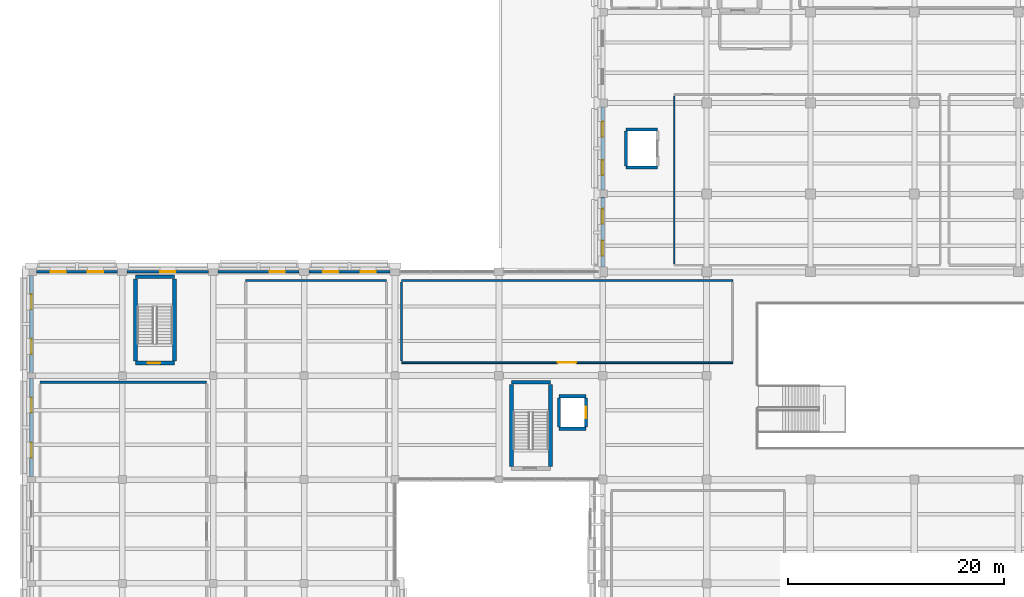
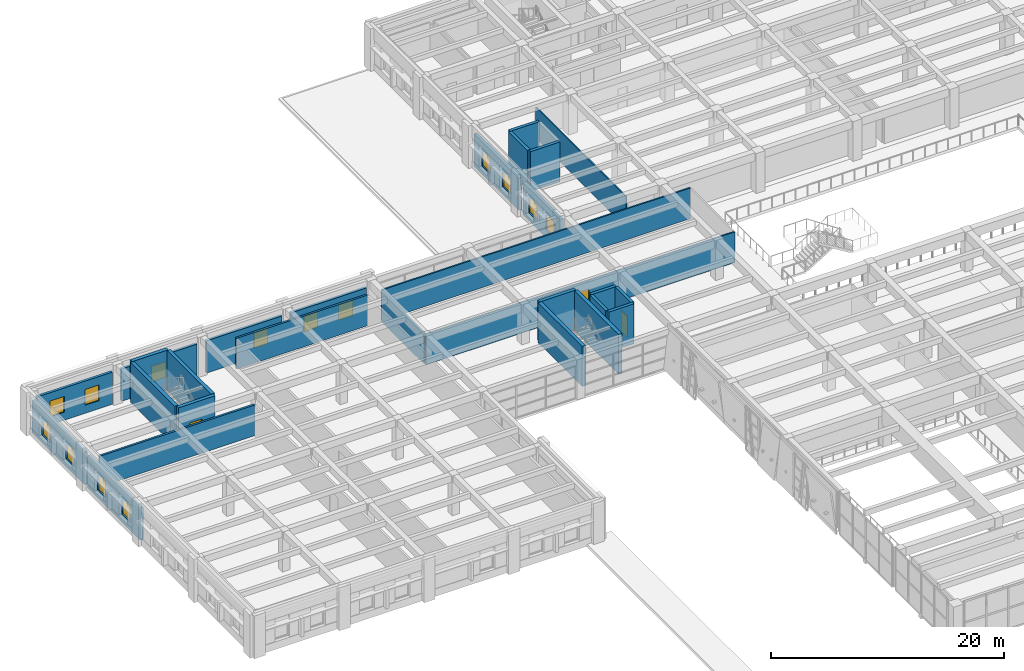
# One storey, part 32 of 49: 28 walls, 14 windows, 3 doors, 17 openings.
"""IFC4 building model written with IfcOpenShell, lengths in metres."""

from ifc_helpers import new_model, si_unit, direction, frame, frame_2d, origin, place, context, subcontext, project, spatial, rectangle, extrude, material, layer, layer_set, type_object, element, fill, save


model = new_model("IFC4")

# Units and contexts
model_context = context("Model", 3, precision=1e-05, world=origin(), true_north=direction((0.0, 1.0)))
body_context = subcontext(model_context, "Body", "Model", "MODEL_VIEW")
ifc_project = project(units=[si_unit("LENGTHUNIT", "METRE"), si_unit("AREAUNIT", "SQUARE_METRE"), si_unit("VOLUMEUNIT", "CUBIC_METRE"), si_unit("PLANEANGLEUNIT", "RADIAN"), si_unit("MASSUNIT", "GRAM", prefix="KILO")], contexts=[model_context])

# Site, building, storey
site_placement = place(None, origin())
site = spatial("IfcSite", under=ifc_project, at=site_placement, CompositionType="ELEMENT")
building_placement = place(site_placement, origin())
building = spatial("IfcBuilding", under=site, at=building_placement, Name="Bempovik Park Faculty of Sciences", CompositionType="ELEMENT")
storey_placement = place(building_placement, frame((0.0, 0.0, 5.39990234375)))
storey = spatial("IfcBuildingStorey", under=building, at=storey_placement, Name="L01", CompositionType="ELEMENT", Elevation=5.39990234375)

# Walls
ifc_material_1 = material(Name="Gypsum acoustic stud assembly")
ifc_layer_1 = layer(ifc_material_1, 0.1201171875)
ifc_layer_set_1 = layer_set([ifc_layer_1], Name="Gypsum acoustic stud assembly")
wall_type_1 = type_object("IfcWallType", Name="W-17 Wall 120mm", PredefinedType="PARTITIONING", material=ifc_layer_set_1)
wall_1_placement = place(storey_placement, frame((66.60009765625, 87.760009765625, 0.0), z_axis=(0.0, 0.0, 1.0), x_axis=(0.0, 1.0, 0.0)))
element("IfcWall", 1, at=wall_1_placement, inside=storey, type_object=wall_type_1, Name="L01 Chemistry Academic Staff Offices Partition West", PredefinedType="PARTITIONING", context=body_context, shape_type="SweptSolid", body=[
    extrude(rectangle(XDim=15.47998046875, YDim=0.1201171875, at=frame_2d((7.739990234375, 0.0))), origin(), (0.0, 0.0, 1.0), 3.22021484375),
])
ifc_material_2 = material(Name="Concrete C40/50", Category="concrete")
ifc_layer_2 = layer(ifc_material_2, 0.300048828125)
ifc_layer_set_2 = layer_set([ifc_layer_2], Name="Concrete C40/50")
wall_type_2 = type_object("IfcWallType", Name="W-31 Wall 300mm", PredefinedType="SHEAR", material=ifc_layer_set_2)
for number, where, z_axis, x_axis, name in (
    (2, (55.949951171875, 72.5, 0.0), (0.0, 0.0, 1.0), (1.0, 0.0, 0.0), "Lift LF-3 L01 Shaft Wall South"),
    (3, (55.949951171875, 75.5, 0.0), (0.0, 0.0, 1.0), (1.0, 0.0, 0.0), "Lift LF-3 L01 Shaft Wall North"),
):
    element("IfcWall", number, at=place(storey_placement, frame(where, z_axis=z_axis, x_axis=x_axis)), inside=storey, type_object=wall_type_2, Name=name, PredefinedType="SHEAR", context=body_context, shape_type="SweptSolid", body=[
        extrude(rectangle(XDim=2.5, YDim=0.300048828125, at=frame_2d((1.25, 0.0))), origin(), (0.0, 0.0, 1.0), 4.18017578125),
    ])
wall_2_placement = place(storey_placement, frame((55.949951171875, 72.64990234375, 0.0), z_axis=(0.0, 0.0, 1.0), x_axis=(0.0, 1.0, 0.0)))
element("IfcWall", 4, at=wall_2_placement, inside=storey, type_object=wall_type_2, Name="Lift LF-3 L01 Shaft Wall West", PredefinedType="SHEAR", context=body_context, shape_type="SweptSolid", body=[
    extrude(rectangle(XDim=2.7001953125, YDim=0.300048828125, at=frame_2d((1.35009765625, 0.0))), origin(), (0.0, 0.0, 1.0), 4.18017578125),
])

# Wall, opening, door
wall_3_placement = place(storey_placement, frame((58.449951171875, 72.64990234375, 0.0), z_axis=(0.0, 0.0, 1.0), x_axis=(0.0, 1.0, 0.0)))
wall_3 = element("IfcWall", 5, at=wall_3_placement, inside=storey, type_object=wall_type_2, Name="Lift LF-3 L01 Shaft Wall East", PredefinedType="SHEAR", context=body_context, shape_type="SweptSolid", body=[
    extrude(rectangle(XDim=2.7001953125, YDim=0.300048828125, at=frame_2d((1.35009765625, 0.0))), origin(), (0.0, 0.0, 1.0), 4.18017578125),
])
opening_1_placement = place(wall_3_placement, frame((0.800048828125, 0.0, 0.0)))
opening_1 = element("IfcOpeningElement", 6, at=opening_1_placement, cuts=wall_3, Name="Opening LD-02", PredefinedType="OPENING", context=body_context, shape_type="SweptSolid", body=[
    extrude(rectangle(XDim=1.10009765625, YDim=2.199951171875, at=frame_2d((0.550048828125, 1.10009765625))), frame((0.0, 0.16015625, 0.0), z_axis=(0.0, -1.0, 0.0), x_axis=(1.0, 0.0, 0.0)), (0.0, 0.0, 1.0), 0.320068359375),
])
ifc_material_3 = material(Name="Anodised aluminium", Category="aluminium")
door_type_1 = type_object("IfcDoorType", Name="LD-02 Door 1100x2200", OperationType="NOTDEFINED", PredefinedType="DOOR", material=ifc_material_3)
door_1_placement = place(opening_1_placement, origin())
door_1 = element("IfcDoor", 7, at=door_1_placement, inside=storey, type_object=door_type_1, Name="Lift LF-3 L01 Sliding Landing Door", OperationType="SLIDING_TO_LEFT", OverallHeight=2.199951171875, OverallWidth=1.10009765625, PredefinedType="DOOR", context=body_context, shape_type="SweptSolid", body=[
    extrude(rectangle(XDim=1.10009765625, YDim=2.199951171875, at=frame_2d((0.550048828125, 1.10009765625))), frame((0.0, 0.02490234375, 0.0), z_axis=(0.0, -1.0, 0.0), x_axis=(1.0, 0.0, 0.0)), (0.0, 0.0, 1.0), 0.050048828125),
])
fill(opening_1, door_1)

# Walls
for number, where, z_axis, x_axis, name in (
    (8, (62.14990234375, 96.64990234375, 0.0), (0.0, 0.0, 1.0), (1.0, 0.0, 0.0), "Lift LF-5 L01 Shaft Wall South"),
    (9, (62.14990234375, 100.14990234375, 0.0), (0.0, 0.0, 1.0), (1.0, 0.0, 0.0), "Lift LF-5 L01 Shaft Wall North"),
):
    element("IfcWall", number, at=place(storey_placement, frame(where, z_axis=z_axis, x_axis=x_axis)), inside=storey, type_object=wall_type_2, Name=name, PredefinedType="SHEAR", context=body_context, shape_type="SweptSolid", body=[
        extrude(rectangle(XDim=2.900146484375, YDim=0.300048828125, at=frame_2d((1.4501953125, 0.0))), origin(), (0.0, 0.0, 1.0), 4.18017578125),
    ])
wall_4_placement = place(storey_placement, frame((62.14990234375, 96.800048828125, 0.0), z_axis=(0.0, 0.0, 1.0), x_axis=(0.0, 1.0, 0.0)))
element("IfcWall", 10, at=wall_4_placement, inside=storey, type_object=wall_type_2, Name="Lift LF-5 L01 Shaft Wall West", PredefinedType="SHEAR", context=body_context, shape_type="SweptSolid", body=[
    extrude(rectangle(XDim=3.199951171875, YDim=0.300048828125, at=frame_2d((1.60009765625, 0.0))), origin(), (0.0, 0.0, 1.0), 4.18017578125),
])

# Wall, opening, door
ifc_layer_3 = layer(ifc_material_1, 0.14990234375)
ifc_layer_set_3 = layer_set([ifc_layer_3], Name="Gypsum acoustic stud assembly")
wall_type_3 = type_object("IfcWallType", Name="W-42 Wall 150mm", PredefinedType="PARTITIONING", material=ifc_layer_set_3)
wall_5_placement = place(storey_placement, frame((41.39990234375, 78.60009765625, 0.0), z_axis=(0.0, 0.0, 1.0), x_axis=(1.0, 0.0, 0.0)))
wall_5 = element("IfcWall", 11, at=wall_5_placement, inside=storey, type_object=wall_type_3, Name="L01 Atrium Concourse Study Gallery West Partition South", PredefinedType="PARTITIONING", context=body_context, shape_type="SweptSolid", body=[
    extrude(rectangle(XDim=30.60009765625, YDim=0.14990234375, at=frame_2d((15.300048828125, 0.0))), origin(), (0.0, 0.0, 1.0), 3.22021484375),
])
opening_2_placement = place(wall_5_placement, frame((14.449951171875, 0.0, 0.0)))
opening_2 = element("IfcOpeningElement", 12, at=opening_2_placement, cuts=wall_5, Name="Opening D-40", PredefinedType="OPENING", context=body_context, shape_type="SweptSolid", body=[
    extrude(rectangle(XDim=1.699951171875, YDim=2.300048828125, at=frame_2d((0.85009765625, 1.14990234375))), frame((0.0, 0.0849609375, 0.0), z_axis=(0.0, -1.0, 0.0), x_axis=(1.0, 0.0, 0.0)), (0.0, 0.0, 1.0), 0.169921875),
])
ifc_material_4 = material(Name="Anodised architectural bronze")
door_type_2 = type_object("IfcDoorType", Name="D-40 Door 1700x2300", OperationType="NOTDEFINED", PredefinedType="DOOR", material=ifc_material_4)
door_2_placement = place(opening_2_placement, origin())
door_2 = element("IfcDoor", 13, at=door_2_placement, inside=storey, type_object=door_type_2, Name="L01 Atrium Concourse Study Gallery West Door", OperationType="DOUBLE_DOOR_SINGLE_SWING", OverallHeight=2.300048828125, OverallWidth=1.699951171875, PredefinedType="DOOR", context=body_context, shape_type="SweptSolid", body=[
    extrude(rectangle(XDim=1.699951171875, YDim=2.300048828125, at=frame_2d((0.85009765625, 1.14990234375))), frame((0.0, 0.02490234375, 0.0), z_axis=(0.0, -1.0, 0.0), x_axis=(1.0, 0.0, 0.0)), (0.0, 0.0, 1.0), 0.050048828125),
])
fill(opening_2, door_2)

# Walls
wall_6_placement = place(storey_placement, frame((41.39990234375, 86.199951171875, 0.0), z_axis=(0.0, 0.0, 1.0), x_axis=(1.0, 0.0, 0.0)))
element("IfcWall", 14, at=wall_6_placement, inside=storey, type_object=wall_type_3, Name="L01 Atrium Concourse Study Gallery West Partition North", PredefinedType="PARTITIONING", context=body_context, shape_type="SweptSolid", body=[
    extrude(rectangle(XDim=30.60009765625, YDim=0.14990234375, at=frame_2d((15.300048828125, 0.0))), origin(), (0.0, 0.0, 1.0), 3.22021484375),
])
wall_7_placement = place(storey_placement, frame((41.39990234375, 78.760009765625, 0.0), z_axis=(0.0, 0.0, 1.0), x_axis=(0.0, 1.0, 0.0)))
element("IfcWall", 15, at=wall_7_placement, inside=storey, type_object=wall_type_3, Name="L01 Atrium Concourse Study Gallery West Partition West", PredefinedType="PARTITIONING", context=body_context, shape_type="SweptSolid", body=[
    extrude(rectangle(XDim=7.280029296875, YDim=0.14990234375, at=frame_2d((3.64013671875, 0.0))), origin(), (0.0, 0.0, 1.0), 3.22021484375),
])

# Wall, opening, door
ifc_layer_4 = layer(ifc_material_2, 0.35009765625)
ifc_layer_set_4 = layer_set([ifc_layer_4], Name="Concrete C40/50")
wall_type_4 = type_object("IfcWallType", Name="W-46 Wall 350mm", PredefinedType="SHEAR", material=ifc_layer_set_4)
wall_8_placement = place(storey_placement, frame((16.824951171875, 78.574951171875, 0.0), z_axis=(0.0, 0.0, 1.0), x_axis=(1.0, 0.0, 0.0)))
wall_8 = element("IfcWall", 16, at=wall_8_placement, inside=storey, type_object=wall_type_4, Name="ST-3 L01 Core Shear Wall South", PredefinedType="SHEAR", context=body_context, shape_type="SweptSolid", body=[
    extrude(rectangle(XDim=3.60009765625, YDim=0.35009765625, at=frame_2d((1.800048828125, 0.0))), origin(), (0.0, 0.0, 1.0), 4.18017578125),
])
opening_3_placement = place(wall_8_placement, frame((1.10009765625, 0.0, 0.0)))
opening_3 = element("IfcOpeningElement", 17, at=opening_3_placement, cuts=wall_8, Name="Opening D-49", PredefinedType="OPENING", context=body_context, shape_type="SweptSolid", body=[
    extrude(rectangle(XDim=1.199951171875, YDim=2.199951171875, at=frame_2d((0.60009765625, 1.10009765625))), frame((0.0, 0.18505859375, 0.0), z_axis=(0.0, -1.0, 0.0), x_axis=(1.0, 0.0, 0.0)), (0.0, 0.0, 1.0), 0.3701171875),
])
ifc_material_5 = material(Name="Painted steel S355", Category="steel")
door_type_3 = type_object("IfcDoorType", Name="D-49 Door 1200x2200", OperationType="NOTDEFINED", PredefinedType="DOOR", material=ifc_material_5)
door_3_placement = place(opening_3_placement, origin())
door_3 = element("IfcDoor", 18, at=door_3_placement, inside=storey, type_object=door_type_3, Name="ST-3 L01 Protected Stair Smoke Door", OperationType="SINGLE_SWING_RIGHT", OverallHeight=2.199951171875, OverallWidth=1.199951171875, PredefinedType="DOOR", context=body_context, shape_type="SweptSolid", body=[
    extrude(rectangle(XDim=1.199951171875, YDim=2.199951171875, at=frame_2d((0.60009765625, 1.10009765625))), frame((0.0, 0.02490234375, 0.0), z_axis=(0.0, -1.0, 0.0), x_axis=(1.0, 0.0, 0.0)), (0.0, 0.0, 1.0), 0.050048828125),
])
fill(opening_3, door_3)

# Walls
for number, where, z_axis, x_axis, name in (
    (19, (16.824951171875, 78.77490234375, 0.0), (0.0, 0.0, 1.0), (0.0, 1.0, 0.0), "ST-3 L01 Core Shear Wall West"),
    (20, (20.425048828125, 78.77490234375, 0.0), (0.0, 0.0, 1.0), (0.0, 1.0, 0.0), "ST-3 L01 Core Shear Wall East"),
):
    element("IfcWall", number, at=place(storey_placement, frame(where, z_axis=z_axis, x_axis=x_axis)), inside=storey, type_object=wall_type_4, Name=name, PredefinedType="SHEAR", context=body_context, shape_type="SweptSolid", body=[
        extrude(rectangle(XDim=7.5751953125, YDim=0.35009765625, at=frame_2d((3.78759765625, 0.0))), origin(), (0.0, 0.0, 1.0), 4.18017578125),
    ])
wall_9_placement = place(storey_placement, frame((16.824951171875, 86.550048828125, 0.0), z_axis=(0.0, 0.0, 1.0), x_axis=(1.0, 0.0, 0.0)))
element("IfcWall", 21, at=wall_9_placement, inside=storey, type_object=wall_type_4, Name="ST-3 L01 Core Shear Wall North", PredefinedType="SHEAR", context=body_context, shape_type="SweptSolid", body=[
    extrude(rectangle(XDim=3.60009765625, YDim=0.35009765625, at=frame_2d((1.800048828125, 0.0))), origin(), (0.0, 0.0, 1.0), 4.18017578125),
])
for number, where, z_axis, x_axis, name in (
    (22, (51.574951171875, 69.02490234375, 0.0), (0.0, 0.0, 1.0), (0.0, 1.0, 0.0), "ST-4 L01 Core Shear Wall West"),
    (23, (55.175048828125, 69.02490234375, 0.0), (0.0, 0.0, 1.0), (0.0, 1.0, 0.0), "ST-4 L01 Core Shear Wall East"),
):
    element("IfcWall", number, at=place(storey_placement, frame(where, z_axis=z_axis, x_axis=x_axis)), inside=storey, type_object=wall_type_4, Name=name, PredefinedType="SHEAR", context=body_context, shape_type="SweptSolid", body=[
        extrude(rectangle(XDim=7.5751953125, YDim=0.35009765625, at=frame_2d((3.78759765625, 0.0))), origin(), (0.0, 0.0, 1.0), 4.18017578125),
    ])
wall_10_placement = place(storey_placement, frame((51.574951171875, 76.800048828125, 0.0), z_axis=(0.0, 0.0, 1.0), x_axis=(1.0, 0.0, 0.0)))
element("IfcWall", 24, at=wall_10_placement, inside=storey, type_object=wall_type_4, Name="ST-4 L01 Core Shear Wall North", PredefinedType="SHEAR", context=body_context, shape_type="SweptSolid", body=[
    extrude(rectangle(XDim=3.60009765625, YDim=0.35009765625, at=frame_2d((1.800048828125, 0.0))), origin(), (0.0, 0.0, 1.0), 4.18017578125),
])

# Wall, openings, windows
ifc_material_6 = material(Name="Precast concrete C40/50", Category="concrete")
ifc_layer_5 = layer(ifc_material_6, 0.260009765625)
ifc_layer_set_5 = layer_set([ifc_layer_5], Name="Precast concrete C40/50")
wall_type_5 = type_object("IfcWallType", Name="W-54 Wall 260mm", PredefinedType="SOLIDWALL", material=ifc_layer_set_5)
wall_11_placement = place(storey_placement, frame((7.652099609375, 87.0, 0.0), z_axis=(0.0, 0.0, 1.0), x_axis=(1.0, 0.0, 0.0)))
wall_11 = element("IfcWall", 25, at=wall_11_placement, inside=storey, type_object=wall_type_5, Name="L01 Classical Precast Facade Wall EW-L01-6536", PredefinedType="SOLIDWALL", context=body_context, shape_type="SweptSolid", body=[
    extrude(rectangle(XDim=7.495849609375, YDim=0.260009765625, at=frame_2d((3.748046875, 0.0))), origin(), (0.0, 0.0, 1.0), 3.380126953125),
])
opening_4_placement = place(wall_11_placement, frame((1.323974609375, 0.0, 0.85009765625)))
opening_4 = element("IfcOpeningElement", 26, at=opening_4_placement, cuts=wall_11, Name="Opening WN-84", PredefinedType="OPENING", context=body_context, shape_type="SweptSolid", body=[
    extrude(rectangle(XDim=1.39990234375, YDim=1.64990234375, at=frame_2d((0.699951171875, 0.824951171875))), frame((0.0, 0.14013671875, 0.0), z_axis=(0.0, -1.0, 0.0), x_axis=(1.0, 0.0, 0.0)), (0.0, 0.0, 1.0), 0.280029296875),
])
opening_5_placement = place(wall_11_placement, frame((4.772216796875, 0.0, 0.85009765625)))
opening_5 = element("IfcOpeningElement", 27, at=opening_5_placement, cuts=wall_11, Name="Opening WN-84", PredefinedType="OPENING", context=body_context, shape_type="SweptSolid", body=[
    extrude(rectangle(XDim=1.39990234375, YDim=1.64990234375, at=frame_2d((0.699951171875, 0.824951171875))), frame((0.0, 0.14013671875, 0.0), z_axis=(0.0, -1.0, 0.0), x_axis=(1.0, 0.0, 0.0)), (0.0, 0.0, 1.0), 0.280029296875),
])
ifc_material_7 = material(Name="Tempered laminated low-E glass", Category="glass")
window_type = type_object("IfcWindowType", Name="WN-84 Window 1400x1650", PartitioningType="SINGLE_PANEL", PredefinedType="WINDOW", material=ifc_material_7)
window_1_placement = place(opening_4_placement, origin())
window_1 = element("IfcWindow", 28, at=window_1_placement, inside=storey, type_object=window_type, Name="L01 Window EW-L01-6536-1", OverallHeight=1.64990234375, OverallWidth=1.39990234375, PartitioningType="SINGLE_PANEL", PredefinedType="WINDOW", context=body_context, shape_type="SweptSolid", body=[
    extrude(rectangle(XDim=1.39990234375, YDim=1.64990234375, at=frame_2d((0.699951171875, 0.824951171875))), frame((0.0, 0.030029296875, 0.0), z_axis=(0.0, -1.0, 0.0), x_axis=(1.0, 0.0, 0.0)), (0.0, 0.0, 1.0), 0.06005859375),
])
fill(opening_4, window_1)
window_2_placement = place(opening_5_placement, origin())
window_2 = element("IfcWindow", 29, at=window_2_placement, inside=storey, type_object=window_type, Name="L01 Window EW-L01-6536-2", OverallHeight=1.64990234375, OverallWidth=1.39990234375, PartitioningType="SINGLE_PANEL", PredefinedType="WINDOW", context=body_context, shape_type="SweptSolid", body=[
    extrude(rectangle(XDim=1.39990234375, YDim=1.64990234375, at=frame_2d((0.699951171875, 0.824951171875))), frame((0.0, 0.030029296875, 0.0), z_axis=(0.0, -1.0, 0.0), x_axis=(1.0, 0.0, 0.0)), (0.0, 0.0, 1.0), 0.06005859375),
])
fill(opening_5, window_2)

# Wall, opening, window
wall_12_placement = place(storey_placement, frame((16.052001953125, 87.0, 0.0), z_axis=(0.0, 0.0, 1.0), x_axis=(1.0, 0.0, 0.0)))
wall_12 = element("IfcWall", 30, at=wall_12_placement, inside=storey, type_object=wall_type_5, Name="L01 Classical Precast Facade Wall EW-L01-6550", PredefinedType="SOLIDWALL", context=body_context, shape_type="SweptSolid", body=[
    extrude(rectangle(XDim=7.49609375, YDim=0.260009765625, at=frame_2d((3.748046875, 0.0))), origin(), (0.0, 0.0, 1.0), 3.380126953125),
])
opening_6_placement = place(wall_12_placement, frame((3.048095703125, 0.0, 0.89990234375)))
opening_6 = element("IfcOpeningElement", 31, at=opening_6_placement, cuts=wall_12, Name="Opening WN-84", PredefinedType="OPENING", context=body_context, shape_type="SweptSolid", body=[
    extrude(rectangle(XDim=1.39990234375, YDim=1.64990234375, at=frame_2d((0.699951171875, 0.824951171875))), frame((0.0, 0.14013671875, 0.0), z_axis=(0.0, -1.0, 0.0), x_axis=(1.0, 0.0, 0.0)), (0.0, 0.0, 1.0), 0.280029296875),
])
window_3_placement = place(opening_6_placement, origin())
window_3 = element("IfcWindow", 32, at=window_3_placement, inside=storey, type_object=window_type, Name="L01 Stairwell Classical Lancet Window EW-L01-6550", OverallHeight=1.64990234375, OverallWidth=1.39990234375, PartitioningType="SINGLE_PANEL", PredefinedType="WINDOW", context=body_context, shape_type="SweptSolid", body=[
    extrude(rectangle(XDim=1.39990234375, YDim=1.64990234375, at=frame_2d((0.699951171875, 0.824951171875))), frame((0.0, 0.030029296875, 0.0), z_axis=(0.0, -1.0, 0.0), x_axis=(1.0, 0.0, 0.0)), (0.0, 0.0, 1.0), 0.06005859375),
])
fill(opening_6, window_3)

wall_13_placement = place(storey_placement, frame((24.451904296875, 87.0, 0.0), z_axis=(0.0, 0.0, 1.0), x_axis=(1.0, 0.0, 0.0)))
wall_13 = element("IfcWall", 33, at=wall_13_placement, inside=storey, type_object=wall_type_5, Name="L01 Classical Precast Facade Wall EW-L01-6557", PredefinedType="SOLIDWALL", context=body_context, shape_type="SweptSolid", body=[
    extrude(rectangle(XDim=7.49609375, YDim=0.260009765625, at=frame_2d((3.748046875, 0.0))), origin(), (0.0, 0.0, 1.0), 3.380126953125),
])
opening_7_placement = place(wall_13_placement, frame((4.772216796875, 0.0, 0.85009765625)))
opening_7 = element("IfcOpeningElement", 34, at=opening_7_placement, cuts=wall_13, Name="Opening WN-84", PredefinedType="OPENING", context=body_context, shape_type="SweptSolid", body=[
    extrude(rectangle(XDim=1.39990234375, YDim=1.64990234375, at=frame_2d((0.699951171875, 0.824951171875))), frame((0.0, 0.14013671875, 0.0), z_axis=(0.0, -1.0, 0.0), x_axis=(1.0, 0.0, 0.0)), (0.0, 0.0, 1.0), 0.280029296875),
])
window_4_placement = place(opening_7_placement, origin())
window_4 = element("IfcWindow", 35, at=window_4_placement, inside=storey, type_object=window_type, Name="L01 Window EW-L01-6557-2", OverallHeight=1.64990234375, OverallWidth=1.39990234375, PartitioningType="SINGLE_PANEL", PredefinedType="WINDOW", context=body_context, shape_type="SweptSolid", body=[
    extrude(rectangle(XDim=1.39990234375, YDim=1.64990234375, at=frame_2d((0.699951171875, 0.824951171875))), frame((0.0, 0.030029296875, 0.0), z_axis=(0.0, -1.0, 0.0), x_axis=(1.0, 0.0, 0.0)), (0.0, 0.0, 1.0), 0.06005859375),
])
fill(opening_7, window_4)

# Wall, openings, windows
wall_14_placement = place(storey_placement, frame((32.85205078125, 87.0, 0.0), z_axis=(0.0, 0.0, 1.0), x_axis=(1.0, 0.0, 0.0)))
wall_14 = element("IfcWall", 36, at=wall_14_placement, inside=storey, type_object=wall_type_5, Name="L01 Classical Precast Facade Wall EW-L01-6568", PredefinedType="SOLIDWALL", context=body_context, shape_type="SweptSolid", body=[
    extrude(rectangle(XDim=7.495849609375, YDim=0.260009765625, at=frame_2d((3.748046875, 0.0))), origin(), (0.0, 0.0, 1.0), 3.380126953125),
])
opening_8_placement = place(wall_14_placement, frame((1.323974609375, 0.0, 0.85009765625)))
opening_8 = element("IfcOpeningElement", 37, at=opening_8_placement, cuts=wall_14, Name="Opening WN-84", PredefinedType="OPENING", context=body_context, shape_type="SweptSolid", body=[
    extrude(rectangle(XDim=1.39990234375, YDim=1.64990234375, at=frame_2d((0.699951171875, 0.824951171875))), frame((0.0, 0.14013671875, 0.0), z_axis=(0.0, -1.0, 0.0), x_axis=(1.0, 0.0, 0.0)), (0.0, 0.0, 1.0), 0.280029296875),
])
opening_9_placement = place(wall_14_placement, frame((4.772216796875, 0.0, 0.85009765625)))
opening_9 = element("IfcOpeningElement", 38, at=opening_9_placement, cuts=wall_14, Name="Opening WN-84", PredefinedType="OPENING", context=body_context, shape_type="SweptSolid", body=[
    extrude(rectangle(XDim=1.39990234375, YDim=1.64990234375, at=frame_2d((0.699951171875, 0.824951171875))), frame((0.0, 0.14013671875, 0.0), z_axis=(0.0, -1.0, 0.0), x_axis=(1.0, 0.0, 0.0)), (0.0, 0.0, 1.0), 0.280029296875),
])
window_5_placement = place(opening_8_placement, origin())
window_5 = element("IfcWindow", 39, at=window_5_placement, inside=storey, type_object=window_type, Name="L01 Window EW-L01-6568-1", OverallHeight=1.64990234375, OverallWidth=1.39990234375, PartitioningType="SINGLE_PANEL", PredefinedType="WINDOW", context=body_context, shape_type="SweptSolid", body=[
    extrude(rectangle(XDim=1.39990234375, YDim=1.64990234375, at=frame_2d((0.699951171875, 0.824951171875))), frame((0.0, 0.030029296875, 0.0), z_axis=(0.0, -1.0, 0.0), x_axis=(1.0, 0.0, 0.0)), (0.0, 0.0, 1.0), 0.06005859375),
])
fill(opening_8, window_5)
window_6_placement = place(opening_9_placement, origin())
window_6 = element("IfcWindow", 40, at=window_6_placement, inside=storey, type_object=window_type, Name="L01 Window EW-L01-6568-2", OverallHeight=1.64990234375, OverallWidth=1.39990234375, PartitioningType="SINGLE_PANEL", PredefinedType="WINDOW", context=body_context, shape_type="SweptSolid", body=[
    extrude(rectangle(XDim=1.39990234375, YDim=1.64990234375, at=frame_2d((0.699951171875, 0.824951171875))), frame((0.0, 0.030029296875, 0.0), z_axis=(0.0, -1.0, 0.0), x_axis=(1.0, 0.0, 0.0)), (0.0, 0.0, 1.0), 0.06005859375),
])
fill(opening_9, window_6)

ifc_layer_6 = layer(ifc_material_6, 0.320068359375)
ifc_layer_set_6 = layer_set([ifc_layer_6], Name="Precast concrete C40/50")
wall_type_6 = type_object("IfcWallType", Name="W-56 Wall 320mm", PredefinedType="SOLIDWALL", material=ifc_layer_set_6)
wall_15_placement = place(storey_placement, frame((7.199951171875, 68.072021484375, 0.0), z_axis=(0.0, 0.0, 1.0), x_axis=(0.0, 1.0, 0.0)))
wall_15 = element("IfcWall", 41, at=wall_15_placement, inside=storey, type_object=wall_type_6, Name="L01 Classical Precast Facade Wall EW-L01-6510", PredefinedType="SOLIDWALL", context=body_context, shape_type="SweptSolid", body=[
    extrude(rectangle(XDim=9.055908203125, YDim=0.320068359375, at=frame_2d((4.52783203125, 0.0))), origin(), (0.0, 0.0, 1.0), 3.380126953125),
])
opening_10_placement = place(wall_15_placement, frame((1.7451171875, 0.0, 0.85009765625)))
opening_10 = element("IfcOpeningElement", 42, at=opening_10_placement, cuts=wall_15, Name="Opening WN-84", PredefinedType="OPENING", context=body_context, shape_type="SweptSolid", body=[
    extrude(rectangle(XDim=1.39990234375, YDim=1.64990234375, at=frame_2d((0.699951171875, 0.824951171875))), frame((0.0, 0.169921875, 0.0), z_axis=(0.0, -1.0, 0.0), x_axis=(1.0, 0.0, 0.0)), (0.0, 0.0, 1.0), 0.340087890625),
])
opening_11_placement = place(wall_15_placement, frame((5.910888671875, 0.0, 0.85009765625)))
opening_11 = element("IfcOpeningElement", 43, at=opening_11_placement, cuts=wall_15, Name="Opening WN-84", PredefinedType="OPENING", context=body_context, shape_type="SweptSolid", body=[
    extrude(rectangle(XDim=1.39990234375, YDim=1.64990234375, at=frame_2d((0.699951171875, 0.824951171875))), frame((0.0, 0.169921875, 0.0), z_axis=(0.0, -1.0, 0.0), x_axis=(1.0, 0.0, 0.0)), (0.0, 0.0, 1.0), 0.340087890625),
])
window_7_placement = place(opening_10_placement, origin())
window_7 = element("IfcWindow", 44, at=window_7_placement, inside=storey, type_object=window_type, Name="L01 Window EW-L01-6510-1", OverallHeight=1.64990234375, OverallWidth=1.39990234375, PartitioningType="SINGLE_PANEL", PredefinedType="WINDOW", context=body_context, shape_type="SweptSolid", body=[
    extrude(rectangle(XDim=1.39990234375, YDim=1.64990234375, at=frame_2d((0.699951171875, 0.824951171875))), frame((0.0, 0.030029296875, 0.0), z_axis=(0.0, -1.0, 0.0), x_axis=(1.0, 0.0, 0.0)), (0.0, 0.0, 1.0), 0.06005859375),
])
fill(opening_10, window_7)
window_8_placement = place(opening_11_placement, origin())
window_8 = element("IfcWindow", 45, at=window_8_placement, inside=storey, type_object=window_type, Name="L01 Window EW-L01-6510-2", OverallHeight=1.64990234375, OverallWidth=1.39990234375, PartitioningType="SINGLE_PANEL", PredefinedType="WINDOW", context=body_context, shape_type="SweptSolid", body=[
    extrude(rectangle(XDim=1.39990234375, YDim=1.64990234375, at=frame_2d((0.699951171875, 0.824951171875))), frame((0.0, 0.030029296875, 0.0), z_axis=(0.0, -1.0, 0.0), x_axis=(1.0, 0.0, 0.0)), (0.0, 0.0, 1.0), 0.06005859375),
])
fill(opening_11, window_8)

wall_16_placement = place(storey_placement, frame((7.199951171875, 77.672119140625, 0.0), z_axis=(0.0, 0.0, 1.0), x_axis=(0.0, 1.0, 0.0)))
wall_16 = element("IfcWall", 46, at=wall_16_placement, inside=storey, type_object=wall_type_6, Name="L01 Classical Precast Facade Wall EW-L01-6523", PredefinedType="SOLIDWALL", context=body_context, shape_type="SweptSolid", body=[
    extrude(rectangle(XDim=8.975830078125, YDim=0.320068359375, at=frame_2d((4.48779296875, 0.0))), origin(), (0.0, 0.0, 1.0), 3.380126953125),
])
opening_12_placement = place(wall_16_placement, frame((1.723388671875, 0.0, 0.85009765625)))
opening_12 = element("IfcOpeningElement", 47, at=opening_12_placement, cuts=wall_16, Name="Opening WN-84", PredefinedType="OPENING", context=body_context, shape_type="SweptSolid", body=[
    extrude(rectangle(XDim=1.39990234375, YDim=1.64990234375, at=frame_2d((0.699951171875, 0.824951171875))), frame((0.0, 0.169921875, 0.0), z_axis=(0.0, -1.0, 0.0), x_axis=(1.0, 0.0, 0.0)), (0.0, 0.0, 1.0), 0.340087890625),
])
opening_13_placement = place(wall_16_placement, frame((5.8525390625, 0.0, 0.85009765625)))
opening_13 = element("IfcOpeningElement", 48, at=opening_13_placement, cuts=wall_16, Name="Opening WN-84", PredefinedType="OPENING", context=body_context, shape_type="SweptSolid", body=[
    extrude(rectangle(XDim=1.39990234375, YDim=1.64990234375, at=frame_2d((0.699951171875, 0.824951171875))), frame((0.0, 0.169921875, 0.0), z_axis=(0.0, -1.0, 0.0), x_axis=(1.0, 0.0, 0.0)), (0.0, 0.0, 1.0), 0.340087890625),
])
window_9_placement = place(opening_12_placement, origin())
window_9 = element("IfcWindow", 49, at=window_9_placement, inside=storey, type_object=window_type, Name="L01 Window EW-L01-6523-1", OverallHeight=1.64990234375, OverallWidth=1.39990234375, PartitioningType="SINGLE_PANEL", PredefinedType="WINDOW", context=body_context, shape_type="SweptSolid", body=[
    extrude(rectangle(XDim=1.39990234375, YDim=1.64990234375, at=frame_2d((0.699951171875, 0.824951171875))), frame((0.0, 0.030029296875, 0.0), z_axis=(0.0, -1.0, 0.0), x_axis=(1.0, 0.0, 0.0)), (0.0, 0.0, 1.0), 0.06005859375),
])
fill(opening_12, window_9)
window_10_placement = place(opening_13_placement, origin())
window_10 = element("IfcWindow", 50, at=window_10_placement, inside=storey, type_object=window_type, Name="L01 Window EW-L01-6523-2", OverallHeight=1.64990234375, OverallWidth=1.39990234375, PartitioningType="SINGLE_PANEL", PredefinedType="WINDOW", context=body_context, shape_type="SweptSolid", body=[
    extrude(rectangle(XDim=1.39990234375, YDim=1.64990234375, at=frame_2d((0.699951171875, 0.824951171875))), frame((0.0, 0.030029296875, 0.0), z_axis=(0.0, -1.0, 0.0), x_axis=(1.0, 0.0, 0.0)), (0.0, 0.0, 1.0), 0.06005859375),
])
fill(opening_13, window_10)

wall_17_placement = place(storey_placement, frame((60.0, 87.451904296875, 0.0), z_axis=(0.0, 0.0, 1.0), x_axis=(0.0, 1.0, 0.0)))
wall_17 = element("IfcWall", 51, at=wall_17_placement, inside=storey, type_object=wall_type_6, Name="L01 Classical Precast Facade Wall EW-L01-6617", PredefinedType="SOLIDWALL", context=body_context, shape_type="SweptSolid", body=[
    extrude(rectangle(XDim=6.39599609375, YDim=0.320068359375, at=frame_2d((3.197998046875, 0.0))), origin(), (0.0, 0.0, 1.0), 3.380126953125),
])
opening_14_placement = place(wall_17_placement, frame((1.02685546875, 0.0, 0.85009765625)))
opening_14 = element("IfcOpeningElement", 52, at=opening_14_placement, cuts=wall_17, Name="Opening WN-84", PredefinedType="OPENING", context=body_context, shape_type="SweptSolid", body=[
    extrude(rectangle(XDim=1.39990234375, YDim=1.64990234375, at=frame_2d((0.699951171875, 0.824951171875))), frame((0.0, 0.169921875, 0.0), z_axis=(0.0, -1.0, 0.0), x_axis=(1.0, 0.0, 0.0)), (0.0, 0.0, 1.0), 0.340087890625),
])
opening_15_placement = place(wall_17_placement, frame((3.968994140625, 0.0, 0.85009765625)))
opening_15 = element("IfcOpeningElement", 53, at=opening_15_placement, cuts=wall_17, Name="Opening WN-84", PredefinedType="OPENING", context=body_context, shape_type="SweptSolid", body=[
    extrude(rectangle(XDim=1.39990234375, YDim=1.64990234375, at=frame_2d((0.699951171875, 0.824951171875))), frame((0.0, 0.169921875, 0.0), z_axis=(0.0, -1.0, 0.0), x_axis=(1.0, 0.0, 0.0)), (0.0, 0.0, 1.0), 0.340087890625),
])
window_11_placement = place(opening_14_placement, origin())
window_11 = element("IfcWindow", 54, at=window_11_placement, inside=storey, type_object=window_type, Name="L01 Window EW-L01-6617-1", OverallHeight=1.64990234375, OverallWidth=1.39990234375, PartitioningType="SINGLE_PANEL", PredefinedType="WINDOW", context=body_context, shape_type="SweptSolid", body=[
    extrude(rectangle(XDim=1.39990234375, YDim=1.64990234375, at=frame_2d((0.699951171875, 0.824951171875))), frame((0.0, 0.030029296875, 0.0), z_axis=(0.0, -1.0, 0.0), x_axis=(1.0, 0.0, 0.0)), (0.0, 0.0, 1.0), 0.06005859375),
])
fill(opening_14, window_11)
window_12_placement = place(opening_15_placement, origin())
window_12 = element("IfcWindow", 55, at=window_12_placement, inside=storey, type_object=window_type, Name="L01 Window EW-L01-6617-2", OverallHeight=1.64990234375, OverallWidth=1.39990234375, PartitioningType="SINGLE_PANEL", PredefinedType="WINDOW", context=body_context, shape_type="SweptSolid", body=[
    extrude(rectangle(XDim=1.39990234375, YDim=1.64990234375, at=frame_2d((0.699951171875, 0.824951171875))), frame((0.0, 0.030029296875, 0.0), z_axis=(0.0, -1.0, 0.0), x_axis=(1.0, 0.0, 0.0)), (0.0, 0.0, 1.0), 0.06005859375),
])
fill(opening_15, window_12)

wall_18_placement = place(storey_placement, frame((60.0, 94.552001953125, 0.0), z_axis=(0.0, 0.0, 1.0), x_axis=(0.0, 1.0, 0.0)))
wall_18 = element("IfcWall", 56, at=wall_18_placement, inside=storey, type_object=wall_type_6, Name="L01 Classical Precast Facade Wall EW-L01-6630", PredefinedType="SOLIDWALL", context=body_context, shape_type="SweptSolid", body=[
    extrude(rectangle(XDim=7.696044921875, YDim=0.320068359375, at=frame_2d((3.84814453125, 0.0))), origin(), (0.0, 0.0, 1.0), 3.380126953125),
])
opening_16_placement = place(wall_18_placement, frame((1.3779296875, 0.0, 0.85009765625)))
opening_16 = element("IfcOpeningElement", 57, at=opening_16_placement, cuts=wall_18, Name="Opening WN-84", PredefinedType="OPENING", context=body_context, shape_type="SweptSolid", body=[
    extrude(rectangle(XDim=1.39990234375, YDim=1.64990234375, at=frame_2d((0.699951171875, 0.824951171875))), frame((0.0, 0.169921875, 0.0), z_axis=(0.0, -1.0, 0.0), x_axis=(1.0, 0.0, 0.0)), (0.0, 0.0, 1.0), 0.340087890625),
])
opening_17_placement = place(wall_18_placement, frame((4.918212890625, 0.0, 0.85009765625)))
opening_17 = element("IfcOpeningElement", 58, at=opening_17_placement, cuts=wall_18, Name="Opening WN-84", PredefinedType="OPENING", context=body_context, shape_type="SweptSolid", body=[
    extrude(rectangle(XDim=1.39990234375, YDim=1.64990234375, at=frame_2d((0.699951171875, 0.824951171875))), frame((0.0, 0.169921875, 0.0), z_axis=(0.0, -1.0, 0.0), x_axis=(1.0, 0.0, 0.0)), (0.0, 0.0, 1.0), 0.340087890625),
])
window_13_placement = place(opening_16_placement, origin())
window_13 = element("IfcWindow", 59, at=window_13_placement, inside=storey, type_object=window_type, Name="L01 Window EW-L01-6630-1", OverallHeight=1.64990234375, OverallWidth=1.39990234375, PartitioningType="SINGLE_PANEL", PredefinedType="WINDOW", context=body_context, shape_type="SweptSolid", body=[
    extrude(rectangle(XDim=1.39990234375, YDim=1.64990234375, at=frame_2d((0.699951171875, 0.824951171875))), frame((0.0, 0.030029296875, 0.0), z_axis=(0.0, -1.0, 0.0), x_axis=(1.0, 0.0, 0.0)), (0.0, 0.0, 1.0), 0.06005859375),
])
fill(opening_16, window_13)
window_14_placement = place(opening_17_placement, origin())
window_14 = element("IfcWindow", 60, at=window_14_placement, inside=storey, type_object=window_type, Name="L01 Window EW-L01-6630-2", OverallHeight=1.64990234375, OverallWidth=1.39990234375, PartitioningType="SINGLE_PANEL", PredefinedType="WINDOW", context=body_context, shape_type="SweptSolid", body=[
    extrude(rectangle(XDim=1.39990234375, YDim=1.64990234375, at=frame_2d((0.699951171875, 0.824951171875))), frame((0.0, 0.030029296875, 0.0), z_axis=(0.0, -1.0, 0.0), x_axis=(1.0, 0.0, 0.0)), (0.0, 0.0, 1.0), 0.06005859375),
])
fill(opening_17, window_14)

# Walls
ifc_material_8 = material(Name="Concrete C35/45", Category="concrete")
ifc_layer_7 = layer(ifc_material_8, 0.199951171875)
ifc_layer_set_7 = layer_set([ifc_layer_7], Name="Concrete C35/45")
wall_type_7 = type_object("IfcWallType", Name="W-59 Wall 200mm", PredefinedType="PARTITIONING", material=ifc_layer_set_7)
wall_19_placement = place(storey_placement, frame((8.0, 76.800048828125, 0.0), z_axis=(0.0, 0.0, 1.0), x_axis=(1.0, 0.0, 0.0)))
element("IfcWall", 61, at=wall_19_placement, inside=storey, type_object=wall_type_7, Name="L01 Organic Chemistry Teaching Laboratory Partition North", PredefinedType="PARTITIONING", context=body_context, shape_type="SweptSolid", body=[
    extrude(rectangle(XDim=15.39990234375, YDim=0.199951171875, at=frame_2d((7.699951171875, 0.0))), origin(), (0.0, 0.0, 1.0), 3.22021484375),
])
wall_20_placement = place(storey_placement, frame((27.0, 86.199951171875, 0.0), z_axis=(0.0, 0.0, 1.0), x_axis=(1.0, 0.0, 0.0)))
element("IfcWall", 62, at=wall_20_placement, inside=storey, type_object=wall_type_7, Name="L01 Analytical Instrumentation Teaching Laboratory Partition North", PredefinedType="PARTITIONING", context=body_context, shape_type="SweptSolid", body=[
    extrude(rectangle(XDim=13.0, YDim=0.199951171875, at=frame_2d((6.5, 0.0))), origin(), (0.0, 0.0, 1.0), 3.22021484375),
])

save(model, "model.ifc")
